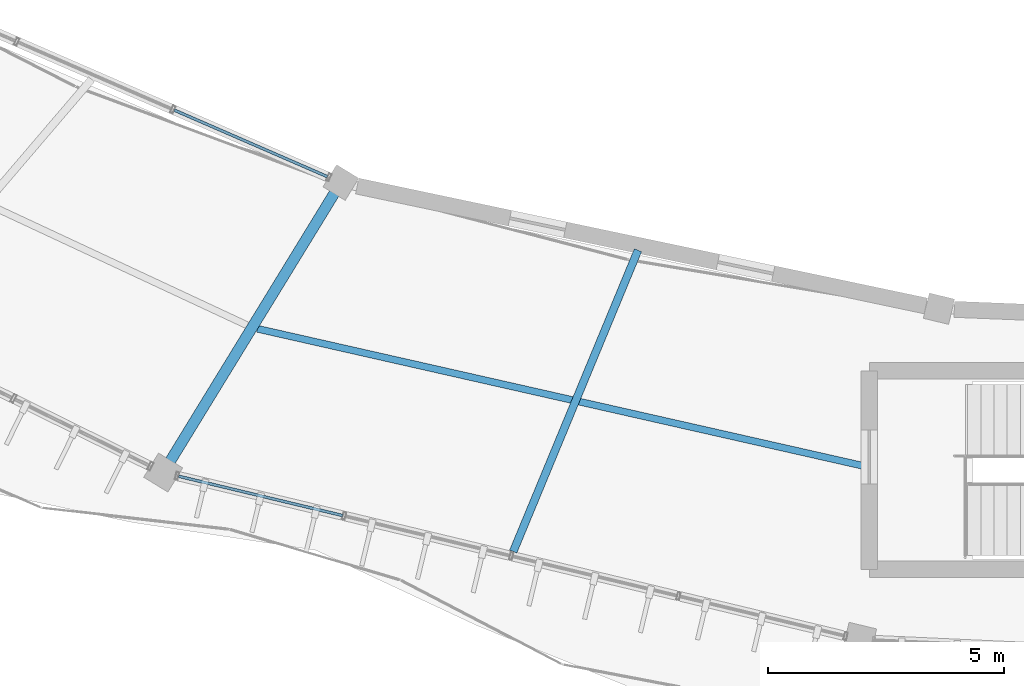
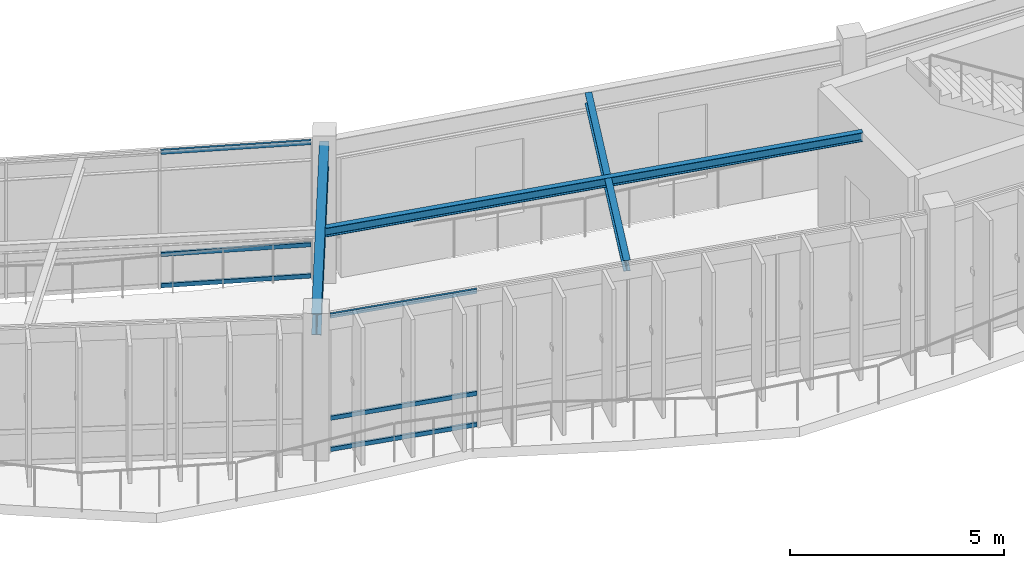
# One storey, part 26 of 83: 6 members, 3 beams, 2 elements without a shape of their own.
"""IFC4 building model written with IfcOpenShell, lengths in metres."""

import ifcopenshell
import ifcopenshell.guid

model = None  # the IFC model being written
_history = None  # IfcOwnerHistory: only IFC2X3 demands one
_inside = {}  # id of a spatial element -> (the spatial element, [elements in it])
_under = {}  # id of a project, library or spatial element -> (it, [spatial elements below it])
_declared = {}  # id of a project -> (the project, [libraries it declares])
_typed = {}  # id of a type object -> (the type object, [elements of that type])
_made_of = {}  # id of a material, layer set ... -> (it, [elements and type objects made of it])


def new_model(schema):
    """Start an empty IFC model of exactly this schema.

    Asked for "IFC4X3", IfcOpenShell would pick the latest addendum, in which some entities
    have other attributes; the version numbers below select the first issue.
    IFC2X3 requires an IfcOwnerHistory on every rooted entity: one is made here for all.
    """
    global model, _history
    if schema == "IFC4X3":
        model = ifcopenshell.file(schema_version=(4, 3, 0, 0))
    else:
        model = ifcopenshell.file(schema=schema)
    _inside.clear()
    _under.clear()
    _declared.clear()
    _typed.clear()
    _made_of.clear()
    _history = None
    if model.schema == "IFC2X3":
        org = make("IfcOrganization", Name="unknown")
        user = make(
            "IfcPersonAndOrganization",
            ThePerson=make("IfcPerson", FamilyName="unknown"),
            TheOrganization=org,
        )
        app = make(
            "IfcApplication",
            ApplicationDeveloper=org,
            Version="unknown",
            ApplicationFullName="unknown",
            ApplicationIdentifier="unknown",
        )
        _history = make(
            "IfcOwnerHistory",
            OwningUser=user,
            OwningApplication=app,
            ChangeAction="ADDED",
            CreationDate=0,
        )
    return model


def make(cls, **values):
    """One entity of the class cls with the attributes given. An attribute that is None is left unset."""
    return model.create_entity(
        cls, **{name: value for name, value in values.items() if value is not None}
    )


def rooted(cls, **values):
    """An entity with a GlobalId (a new one), such as an element, a storey or a relation."""
    return make(cls, GlobalId=ifcopenshell.guid.new(), OwnerHistory=_history, **values)


def si_unit(unit_type, name, prefix=None):
    """IfcSIUnit, for example si_unit("LENGTHUNIT", "METRE", prefix="MILLI")."""
    return make("IfcSIUnit", UnitType=unit_type, Prefix=prefix, Name=name)


def assignment(units):
    """IfcUnitAssignment: the units of a project."""
    return None if units is None else make("IfcUnitAssignment", Units=units)


def point(xyz):
    """IfcCartesianPoint."""
    return None if xyz is None else make("IfcCartesianPoint", Coordinates=xyz)


def direction(xyz):
    """IfcDirection."""
    return None if xyz is None else make("IfcDirection", DirectionRatios=xyz)


def frame(location, z_axis=None, x_axis=None):
    """IfcAxis2Placement3D, a coordinate frame: its origin and axes. An axis left out is left unset."""
    return make(
        "IfcAxis2Placement3D",
        Location=point(location),
        Axis=direction(z_axis),
        RefDirection=direction(x_axis),
    )


def frame_2d(location, x_axis=None):
    """IfcAxis2Placement2D, a coordinate frame in the plane: its origin and x axis."""
    return make(
        "IfcAxis2Placement2D", Location=point(location), RefDirection=direction(x_axis)
    )


def origin():
    """The frame at (0, 0, 0) with its axes left unset."""
    return frame((0.0, 0.0, 0.0))


def origin_2d():
    """The frame at (0, 0) in the plane with its x axis left unset."""
    return frame_2d((0.0, 0.0))


def place(relative_to, where):
    """IfcLocalPlacement: puts the frame where relative to a parent placement (None: the world)."""
    return make(
        "IfcLocalPlacement", PlacementRelTo=relative_to, RelativePlacement=where
    )


def context(
    kind, dimensions, precision=None, world=None, true_north=None, identifier=None
):
    """IfcGeometricRepresentationContext, for example the 3D "Model" context."""
    return make(
        "IfcGeometricRepresentationContext",
        ContextIdentifier=identifier,
        ContextType=kind,
        CoordinateSpaceDimension=dimensions,
        Precision=precision,
        WorldCoordinateSystem=world,
        TrueNorth=true_north,
    )


def subcontext(parent, identifier, kind, view, scale=None):
    """IfcGeometricRepresentationSubContext, for example "Body" below "Model"."""
    return make(
        "IfcGeometricRepresentationSubContext",
        ContextIdentifier=identifier,
        ContextType=kind,
        ParentContext=parent,
        TargetScale=scale,
        TargetView=view,
    )


def project(units=None, contexts=None):
    """IfcProject with its units and contexts."""
    return rooted(
        "IfcProject",
        Name="project",
        RepresentationContexts=contexts,
        UnitsInContext=assignment(units),
    )


def spatial(cls, under=None, at=None, **own):
    """A site, building, storey or space (cls), placed at a placement, below another one or the project."""
    s = rooted(cls, ObjectPlacement=at, **own)
    if under is not None:
        _under.setdefault(under.id(), (under, []))[1].append(s)
    return s


def profile(cls, at=None, kind="AREA", **sizes):
    """A parametric profile (cls). Its sizes go by their IFC names, for example OverallWidth=200.0."""
    return make(cls, ProfileType=kind, Position=at, **sizes)


def hollow_rectangle(**sizes):
    """IfcRectangleHollowProfileDef."""
    return profile("IfcRectangleHollowProfileDef", **sizes)


def i_section(**sizes):
    """IfcIShapeProfileDef."""
    return profile("IfcIShapeProfileDef", **sizes)


def extrude(swept, where, along, depth):
    """IfcExtrudedAreaSolid: the profile swept, set in the frame where, extruded along a direction by depth."""
    return make(
        "IfcExtrudedAreaSolid",
        SweptArea=swept,
        Position=where,
        ExtrudedDirection=direction(along),
        Depth=depth,
    )


def shape(context_of_items, identifier, shape_type, items):
    """IfcShapeRepresentation: the items that make up one representation, for example the "Body"."""
    return make(
        "IfcShapeRepresentation",
        ContextOfItems=context_of_items,
        RepresentationIdentifier=identifier,
        RepresentationType=shape_type,
        Items=items,
    )


def material(Name=None, Category=None):
    """IfcMaterial."""
    return make("IfcMaterial", Name=Name, Category=Category)


def material_profile(
    of_material, cross_section, Name=None, Category=None, Priority=None
):
    """IfcMaterialProfile: a cross section and its material."""
    return make(
        "IfcMaterialProfile",
        Name=Name,
        Material=of_material,
        Profile=cross_section,
        Priority=Priority,
        Category=Category,
    )


def profile_set(profiles, Name=None, composite=None):
    """IfcMaterialProfileSet."""
    return make(
        "IfcMaterialProfileSet",
        Name=Name,
        MaterialProfiles=profiles,
        CompositeProfile=composite,
    )


def made_of(thing, what):
    """Note that an element or type object is made of a material, layer set ...; save() writes the relation."""
    if what is not None:
        _made_of.setdefault(what.id(), (what, []))[1].append(thing)
    return thing


def type_object(cls, material=None, **own):
    """A type object (cls), such as IfcWallType, which elements share."""
    return made_of(rooted(cls, **own), material)


def element(
    cls,
    number,
    at=None,
    inside=None,
    cuts=None,
    type_object=None,
    material=None,
    context=None,
    identifier="Body",
    shape_type=None,
    held_by="IfcProductDefinitionShape",
    body=None,
    shapes=None,
    **own,
):
    """One element of the class cls, such as IfcWall. Its Tag is "e" and its number.

    at: its placement. inside: the storey or other place that contains it. cuts: it is an
    opening in that element (IfcRelVoidsElement). A single representation is given by context,
    identifier, shape_type and body (its items); several are given by shapes. held_by: the class
    of the entity that holds the representations. save() writes the other relations.
    """
    e = rooted(cls, Tag="e%d" % number, ObjectPlacement=at, **own)
    if body is not None:
        shapes = [shape(context, identifier, shape_type, body)]
    if shapes is not None:
        e.Representation = make(held_by, Representations=shapes)
    if inside is not None:
        _inside.setdefault(inside.id(), (inside, []))[1].append(e)
    if cuts is not None:
        rooted(
            "IfcRelVoidsElement", RelatingBuildingElement=cuts, RelatedOpeningElement=e
        )
    if type_object is not None:
        _typed.setdefault(type_object.id(), (type_object, []))[1].append(e)
    return made_of(e, material)


def aggregate(whole, parts):
    """IfcRelAggregates: a whole, such as a stair, and the parts it consists of."""
    return rooted("IfcRelAggregates", RelatingObject=whole, RelatedObjects=parts)


def save(model, path):
    """Write the relations noted so far, then the file.

    IfcRelAggregates (storeys below a building ...), IfcRelContainedInSpatialStructure (elements
    in a storey), IfcRelDefinesByType, IfcRelAssociatesMaterial and IfcRelDeclares: one each for
    every whole, place, type object, material and project.
    """
    for whole, parts in _under.values():
        aggregate(whole, parts)
    for where, things in _inside.values():
        rooted(
            "IfcRelContainedInSpatialStructure",
            RelatedElements=things,
            RelatingStructure=where,
        )
    for kind, things in _typed.values():
        rooted("IfcRelDefinesByType", RelatedObjects=things, RelatingType=kind)
    for what, things in _made_of.values():
        rooted("IfcRelAssociatesMaterial", RelatedObjects=things, RelatingMaterial=what)
    for by, libraries in _declared.values():
        rooted("IfcRelDeclares", RelatingContext=by, RelatedDefinitions=libraries)
    model.write(path)


model = new_model("IFC4")

# Units and contexts
model_context = context("Model", 3, precision=1e-05, world=origin(), true_north=direction((0.0, 1.0)))
body_context = subcontext(model_context, "Body", "Model", "MODEL_VIEW")
ifc_project = project(units=[si_unit("LENGTHUNIT", "METRE"), si_unit("AREAUNIT", "SQUARE_METRE"), si_unit("VOLUMEUNIT", "CUBIC_METRE"), si_unit("PLANEANGLEUNIT", "RADIAN"), si_unit("MASSUNIT", "GRAM", prefix="KILO"), si_unit("THERMODYNAMICTEMPERATUREUNIT", "KELVIN"), si_unit("POWERUNIT", "WATT")], contexts=[model_context])

# Site, building, storey
site_placement = place(None, origin())
site = spatial("IfcSite", under=ifc_project, at=site_placement, CompositionType="ELEMENT")
building_placement = place(site_placement, origin())
building = spatial("IfcBuilding", under=site, at=building_placement, Name="Darbajah Civic Hall", CompositionType="ELEMENT")
storey_placement = place(building_placement, frame((0.0, 0.0, 18.0)))
storey = spatial("IfcBuildingStorey", under=building, at=storey_placement, Name="L04", CompositionType="ELEMENT", Elevation=18.0)

# Curtain wall, members
ifc_material_1 = material(Name="Anodised Bronze Aluminium and Low-E Glazing", Category="aluminium")
curtain_wall_type_1 = type_object("IfcCurtainWallType", Name="Unitised Curtain Wall CW-39 10800x3900", PredefinedType="USERDEFINED", material=ifc_material_1)
curtain_wall_1_placement = place(storey_placement, origin())
curtain_wall_1 = element("IfcCurtainWall", 1, at=curtain_wall_1_placement, inside=storey, type_object=curtain_wall_type_1, Name="L04 unitised curtain wall CW-V1I-L04-12", ObjectType="UNITISED CURTAIN WALL", PredefinedType="USERDEFINED")
ifc_material_2 = material(Name="Anodised Bronze Aluminium", Category="aluminium")
ifc_material_profile_1 = material_profile(ifc_material_2, hollow_rectangle(XDim=0.06005859375, YDim=0.1201171875, WallThickness=0.003173828125, at=origin_2d()), Name="ALU TRANSOM 60x120")
ifc_profile_set_1 = profile_set([ifc_material_profile_1], Name="Anodised Bronze Aluminium")
member_type = type_object("IfcMemberType", Name="ALU TRANSOM 60x120", PredefinedType="USERDEFINED", material=ifc_profile_set_1)
member_1_placement = place(storey_placement, frame((62.688720703125, 72.3193359375, 0.06005859375), z_axis=(0.917059068991, -0.398751381166, 0.0), x_axis=(0.398751381166, 0.917059068991, 0.0)))
member_1 = element("IfcMember", 2, at=member_1_placement, type_object=member_type, Name="CW-V1I-L04-12 transom 3.1", ObjectType="TRANSOM", PredefinedType="USERDEFINED", context=body_context, shape_type="SweptSolid", body=[
    extrude(hollow_rectangle(XDim=0.06005859375, YDim=0.1201171875, WallThickness=0.003173828125, at=origin_2d()), origin(), (0.0, 0.0, 1.0), 3.53271484375),
])
member_2_placement = place(storey_placement, frame((62.688720703125, 72.3193359375, 0.949951171875), z_axis=(0.917059068991, -0.398751381166, 0.0), x_axis=(0.398751381166, 0.917059068991, 0.0)))
member_2 = element("IfcMember", 3, at=member_2_placement, type_object=member_type, Name="CW-V1I-L04-12 transom 3.2", ObjectType="TRANSOM", PredefinedType="USERDEFINED", context=body_context, shape_type="SweptSolid", body=[
    extrude(hollow_rectangle(XDim=0.06005859375, YDim=0.1201171875, WallThickness=0.003173828125, at=origin_2d()), origin(), (0.0, 0.0, 1.0), 3.53271484375),
])
member_3_placement = place(storey_placement, frame((62.688720703125, 72.3193359375, 3.860107421875), z_axis=(0.917059068991, -0.398751381166, 0.0), x_axis=(0.398751381166, 0.917059068991, 0.0)))
member_3 = element("IfcMember", 4, at=member_3_placement, type_object=member_type, Name="CW-V1I-L04-12 transom 3.3", ObjectType="TRANSOM", PredefinedType="USERDEFINED", context=body_context, shape_type="SweptSolid", body=[
    extrude(hollow_rectangle(XDim=0.06005859375, YDim=0.1201171875, WallThickness=0.003173828125, at=origin_2d()), origin(), (0.0, 0.0, 1.0), 3.53271484375),
])
aggregate(curtain_wall_1, [member_1, member_2, member_3])

curtain_wall_type_2 = type_object("IfcCurtainWallType", Name="Unitised Curtain Wall CW-71 14600x3900", PredefinedType="USERDEFINED", material=ifc_material_1)
curtain_wall_2_placement = place(storey_placement, origin())
curtain_wall_2 = element("IfcCurtainWall", 5, at=curtain_wall_2_placement, inside=storey, type_object=curtain_wall_type_2, Name="L04 unitised curtain wall CW-V1O-L04-13", ObjectType="UNITISED CURTAIN WALL", PredefinedType="USERDEFINED")
member_4_placement = place(storey_placement, frame((62.7802734375, 64.568603515625, 0.06005859375), z_axis=(0.972474172387, -0.233010695121, 0.0), x_axis=(0.233010695121, 0.972474172387, 0.0)))
member_4 = element("IfcMember", 6, at=member_4_placement, type_object=member_type, Name="CW-V1O-L04-13 transom 1.1", ObjectType="TRANSOM", PredefinedType="USERDEFINED", context=body_context, shape_type="SweptSolid", body=[
    extrude(hollow_rectangle(XDim=0.06005859375, YDim=0.1201171875, WallThickness=0.003173828125, at=origin_2d()), origin(), (0.0, 0.0, 1.0), 3.568603515625),
])
member_5_placement = place(storey_placement, frame((62.7802734375, 64.568603515625, 0.949951171875), z_axis=(0.972474172387, -0.233010695121, 0.0), x_axis=(0.233010695121, 0.972474172387, 0.0)))
member_5 = element("IfcMember", 7, at=member_5_placement, type_object=member_type, Name="CW-V1O-L04-13 transom 1.2", ObjectType="TRANSOM", PredefinedType="USERDEFINED", context=body_context, shape_type="SweptSolid", body=[
    extrude(hollow_rectangle(XDim=0.06005859375, YDim=0.1201171875, WallThickness=0.003173828125, at=origin_2d()), origin(), (0.0, 0.0, 1.0), 3.568603515625),
])
member_6_placement = place(storey_placement, frame((62.7802734375, 64.568603515625, 3.860107421875), z_axis=(0.972474172387, -0.233010695121, 0.0), x_axis=(0.233010695121, 0.972474172387, 0.0)))
member_6 = element("IfcMember", 8, at=member_6_placement, type_object=member_type, Name="CW-V1O-L04-13 transom 1.3", ObjectType="TRANSOM", PredefinedType="USERDEFINED", context=body_context, shape_type="SweptSolid", body=[
    extrude(hollow_rectangle(XDim=0.06005859375, YDim=0.1201171875, WallThickness=0.003173828125, at=origin_2d()), origin(), (0.0, 0.0, 1.0), 3.568603515625),
])
aggregate(curtain_wall_2, [member_4, member_5, member_6])

# Beams
ifc_material_3 = material(Name="Steel S355JR", Category="steel")
ifc_material_profile_2 = material_profile(ifc_material_3, i_section(OverallWidth=0.146484375, OverallDepth=0.256103515625, WebThickness=0.00634765625, FlangeThickness=0.010986328125, FilletRadius=0.007568359375, at=origin_2d()), Name="UB 254x146x37")
ifc_profile_set_2 = profile_set([ifc_material_profile_2], Name="Steel S355JR")
beam_type_1 = type_object("IfcBeamType", Name="UB 254x146x37", PredefinedType="JOIST", material=ifc_profile_set_2)
beam_1_placement = place(storey_placement, frame((64.44677734375, 67.69091796875, 3.7919921875), z_axis=(0.975333080849, -0.220738264473, 0.0), x_axis=(0.220738264473, 0.975333080849, 0.0)))
element("IfcBeam", 9, at=beam_1_placement, inside=storey, type_object=beam_type_1, Name="L04 beam SJ-254", PredefinedType="JOIST", context=body_context, shape_type="SweptSolid", body=[
    extrude(i_section(OverallWidth=0.146484375, OverallDepth=0.256103515625, WebThickness=0.00634765625, FlangeThickness=0.010986328125, FilletRadius=0.007568359375, at=origin_2d()), origin(), (0.0, 0.0, 1.0), 13.13720703125),
])
ifc_material_profile_3 = material_profile(ifc_material_3, i_section(OverallWidth=0.165771484375, OverallDepth=0.306640625, WebThickness=0.006591796875, FlangeThickness=0.01171875, FilletRadius=0.0087890625, at=origin_2d()), Name="UB 305x165x46")
ifc_profile_set_3 = profile_set([ifc_material_profile_3], Name="Steel S355JR")
beam_type_2 = type_object("IfcBeamType", Name="UB 305x165x46", PredefinedType="JOIST", material=ifc_profile_set_3)
beam_2_placement = place(storey_placement, frame((72.50439453125, 69.353271484375, 3.7666015625), z_axis=(-0.382685995053, -0.923878471007, 0.0), x_axis=(0.923878471007, -0.382685995053, 0.0)))
element("IfcBeam", 10, at=beam_2_placement, inside=storey, type_object=beam_type_2, Name="L04 beam SJ-305", PredefinedType="JOIST", context=body_context, shape_type="SweptSolid", body=[
    extrude(i_section(OverallWidth=0.165771484375, OverallDepth=0.306640625, WebThickness=0.006591796875, FlangeThickness=0.01171875, FilletRadius=0.0087890625, at=origin_2d()), origin(), (0.0, 0.0, 1.0), 6.9033203125),
])
ifc_material_profile_4 = material_profile(ifc_material_3, i_section(OverallWidth=0.228271484375, OverallDepth=0.607666015625, WebThickness=0.010986328125, FlangeThickness=0.017333984375, FilletRadius=0.0126953125, at=origin_2d()), Name="UB 610x229x113")
ifc_profile_set_4 = profile_set([ifc_material_profile_4], Name="Steel S355JR")
beam_type_3 = type_object("IfcBeamType", Name="UB 610x229x113", PredefinedType="BEAM", material=ifc_profile_set_4)
beam_3_placement = place(storey_placement, frame((66.1728515625, 70.718017578125, 3.6162109375), z_axis=(-0.522500254411, -0.852639128905, 0.0), x_axis=(0.852639128905, -0.522500254411, 0.0)))
element("IfcBeam", 11, at=beam_3_placement, inside=storey, type_object=beam_type_3, Name="L04 beam SB-610", PredefinedType="BEAM", context=body_context, shape_type="SweptSolid", body=[
    extrude(i_section(OverallWidth=0.228271484375, OverallDepth=0.607666015625, WebThickness=0.010986328125, FlangeThickness=0.017333984375, FilletRadius=0.0126953125, at=origin_2d()), origin(), (0.0, 0.0, 1.0), 7.0400390625),
])

save(model, "model.ifc")
